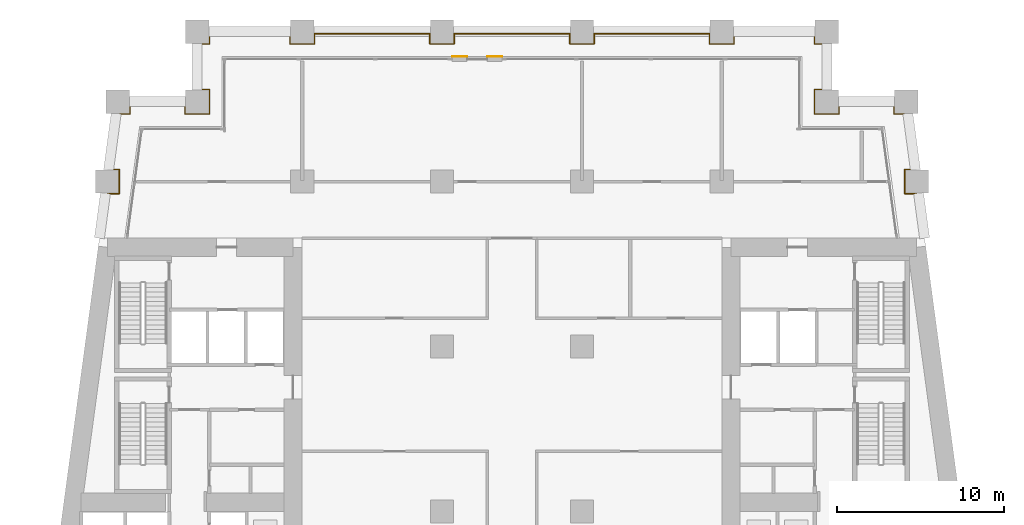
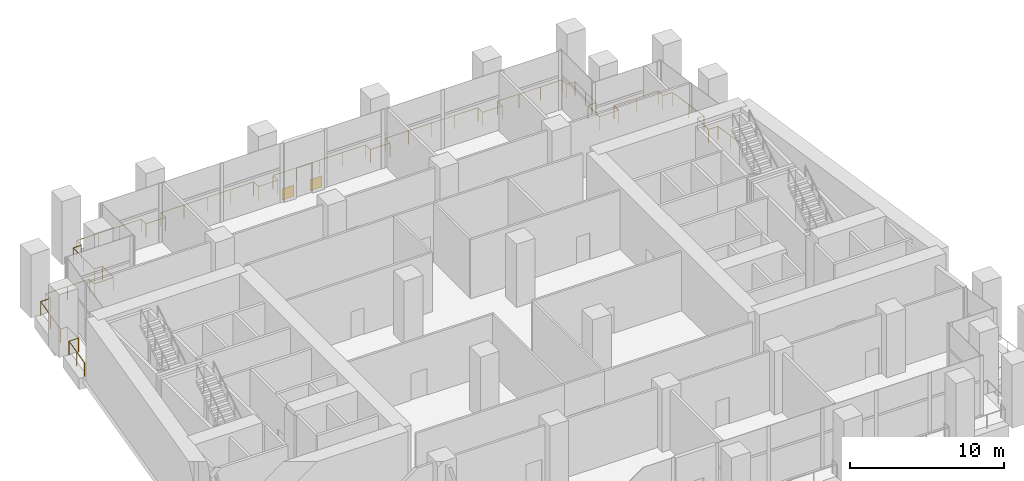
# One storey, part 14 of 15: 2 coverings, 1 railing.
"""IFC4 building model written with IfcOpenShell, lengths in metres."""

from ifc_helpers import new_model, si_unit, direction, frame, origin, origin_2d, place, context, subcontext, project, spatial, rectangle, circle, extrude, material, layer, layer_set, type_object, element, save


model = new_model("IFC4")

# Units and contexts
model_context = context("Model", 3, precision=1e-05, world=origin(), true_north=direction((0.0, 1.0)))
body_context = subcontext(model_context, "Body", "Model", "MODEL_VIEW")
ifc_project = project(units=[si_unit("LENGTHUNIT", "METRE"), si_unit("AREAUNIT", "SQUARE_METRE"), si_unit("VOLUMEUNIT", "CUBIC_METRE"), si_unit("PLANEANGLEUNIT", "RADIAN"), si_unit("MASSUNIT", "GRAM", prefix="KILO")], contexts=[model_context])

# Site, building, storey
site_placement = place(None, origin())
site = spatial("IfcSite", under=ifc_project, at=site_placement, CompositionType="ELEMENT")
building_placement = place(site_placement, origin())
building = spatial("IfcBuilding", under=site, at=building_placement, Name="Candeia Pilgrim Tower and Theatre", CompositionType="ELEMENT")
storey_placement = place(building_placement, frame((0.0, 0.0, 86.0)))
storey = spatial("IfcBuildingStorey", under=building, at=storey_placement, Name="L19", CompositionType="ELEMENT", Elevation=86.0)

# Railing
ifc_material_1 = material(Name="Stainless steel balustrade", Category="steel")
railing_type = type_object("IfcRailingType", Name="G1 loggia guard 1100", PredefinedType="GUARDRAIL", material=ifc_material_1)
railing_placement = place(storey_placement, frame((88.758544921875, 132.449951171875, 0.0)))
element("IfcRailing", 1, at=railing_placement, inside=storey, type_object=railing_type, Name="Guard L19.2", PredefinedType="GUARDRAIL", context=body_context, shape_type="SweptSolid", body=[
    extrude(circle(Radius=0.02392578125, at=origin_2d()), frame((0.0, 0.0, 1.076171875), z_axis=(0.133439920495, 0.991056904329, 0.0), x_axis=(-0.991056904329, 0.133439920495, 0.0)), (0.0, 0.0, 1.0), 2.643798828125),
    extrude(circle(Radius=0.02392578125, at=origin_2d()), frame((0.352783203125, 2.6201171875, 1.076171875), z_axis=(1.0, 0.0, 0.0), x_axis=(0.0, 1.0, 0.0)), (0.0, 0.0, 1.0), 0.70703125),
    extrude(circle(Radius=0.02392578125, at=origin_2d()), frame((1.059814453125, 2.6201171875, 1.076171875), z_axis=(0.0, 1.0, 0.0), x_axis=(-1.0, 0.0, 0.0)), (0.0, 0.0, 1.0), 1.4599609375),
    extrude(circle(Radius=0.02392578125, at=origin_2d()), frame((1.059814453125, 4.080078125, 1.076171875), z_axis=(-1.0, 0.0, 0.0), x_axis=(0.0, -1.0, 0.0)), (0.0, 0.0, 1.0), 0.510498046875),
    extrude(circle(Radius=0.02392578125, at=origin_2d()), frame((0.54931640625, 4.080078125, 1.076171875), z_axis=(0.133364121373, 0.991067107279, 0.0), x_axis=(-0.991067107279, 0.133364121373, 0.0)), (0.0, 0.0, 1.0), 3.3701171875),
    extrude(circle(Radius=0.02392578125, at=origin_2d()), frame((0.998779296875, 7.420166015625, 1.076171875), z_axis=(1.0, 0.0, 0.0), x_axis=(0.0, 1.0, 0.0)), (0.0, 0.0, 1.0), 0.707275390625),
    extrude(circle(Radius=0.02392578125, at=origin_2d()), frame((1.7060546875, 7.420166015625, 1.076171875), z_axis=(0.0, 1.0, 0.0), x_axis=(-1.0, 0.0, 0.0)), (0.0, 0.0, 1.0), 0.60986328125),
    extrude(circle(Radius=0.02392578125, at=origin_2d()), frame((1.7060546875, 8.030029296875, 1.076171875), z_axis=(1.0, 0.0, 0.0), x_axis=(0.0, 1.0, 0.0)), (0.0, 0.0, 1.0), 3.305419921875),
    extrude(circle(Radius=0.02392578125, at=origin_2d()), frame((5.011474609375, 8.030029296875, 1.076171875), z_axis=(0.0, -1.0, 0.0), x_axis=(1.0, 0.0, 0.0)), (0.0, 0.0, 1.0), 0.60986328125),
    extrude(circle(Radius=0.02392578125, at=origin_2d()), frame((5.011474609375, 7.420166015625, 1.076171875), z_axis=(1.0, 0.0, 0.0), x_axis=(0.0, 1.0, 0.0)), (0.0, 0.0, 1.0), 1.4599609375),
    extrude(circle(Radius=0.02392578125, at=origin_2d()), frame((6.471435546875, 7.420166015625, 1.076171875), z_axis=(0.0, 1.0, 0.0), x_axis=(-1.0, 0.0, 0.0)), (0.0, 0.0, 1.0), 1.4599609375),
    extrude(circle(Radius=0.02392578125, at=origin_2d()), frame((6.471435546875, 8.880126953125, 1.076171875), z_axis=(-1.0, 0.0, 0.0), x_axis=(0.0, -1.0, 0.0)), (0.0, 0.0, 1.0), 0.60986328125),
    extrude(circle(Radius=0.02392578125, at=origin_2d()), frame((5.861572265625, 8.880126953125, 1.076171875), z_axis=(0.0, 1.0, 0.0), x_axis=(-1.0, 0.0, 0.0)), (0.0, 0.0, 1.0), 2.739990234375),
    extrude(circle(Radius=0.02392578125, at=origin_2d()), frame((5.861572265625, 11.6201171875, 1.076171875), z_axis=(1.0, 0.0, 0.0), x_axis=(0.0, 1.0, 0.0)), (0.0, 0.0, 1.0), 0.60986328125),
    extrude(circle(Radius=0.02392578125, at=origin_2d()), frame((6.471435546875, 11.6201171875, 1.076171875), z_axis=(0.0, 1.0, 0.0), x_axis=(-1.0, 0.0, 0.0)), (0.0, 0.0, 1.0), 0.60986328125),
    extrude(circle(Radius=0.02392578125, at=origin_2d()), frame((6.471435546875, 12.22998046875, 1.076171875), z_axis=(1.0, 0.0, 0.0), x_axis=(0.0, 1.0, 0.0)), (0.0, 0.0, 1.0), 4.840087890625),
    extrude(circle(Radius=0.02392578125, at=origin_2d()), frame((11.3115234375, 12.22998046875, 1.076171875), z_axis=(0.0, -1.0, 0.0), x_axis=(1.0, 0.0, 0.0)), (0.0, 0.0, 1.0), 0.60986328125),
    extrude(circle(Radius=0.02392578125, at=origin_2d()), frame((11.3115234375, 11.6201171875, 1.076171875), z_axis=(1.0, 0.0, 0.0), x_axis=(0.0, 1.0, 0.0)), (0.0, 0.0, 1.0), 1.4599609375),
    extrude(circle(Radius=0.02392578125, at=origin_2d()), frame((12.771484375, 11.6201171875, 1.076171875), z_axis=(0.0, 1.0, 0.0), x_axis=(-1.0, 0.0, 0.0)), (0.0, 0.0, 1.0), 0.60986328125),
    extrude(circle(Radius=0.02392578125, at=origin_2d()), frame((12.771484375, 12.22998046875, 1.076171875), z_axis=(1.0, 0.0, 0.0), x_axis=(0.0, 1.0, 0.0)), (0.0, 0.0, 1.0), 6.93994140625),
    extrude(circle(Radius=0.02392578125, at=origin_2d()), frame((19.71142578125, 12.22998046875, 1.076171875), z_axis=(0.0, -1.0, 0.0), x_axis=(1.0, 0.0, 0.0)), (0.0, 0.0, 1.0), 0.60986328125),
    extrude(circle(Radius=0.02392578125, at=origin_2d()), frame((19.71142578125, 11.6201171875, 1.076171875), z_axis=(1.0, 0.0, 0.0), x_axis=(0.0, 1.0, 0.0)), (0.0, 0.0, 1.0), 1.4599609375),
    extrude(circle(Radius=0.02392578125, at=origin_2d()), frame((21.17138671875, 11.6201171875, 1.076171875), z_axis=(0.0, 1.0, 0.0), x_axis=(-1.0, 0.0, 0.0)), (0.0, 0.0, 1.0), 0.60986328125),
    extrude(circle(Radius=0.02392578125, at=origin_2d()), frame((21.17138671875, 12.22998046875, 1.076171875), z_axis=(1.0, 0.0, 0.0), x_axis=(0.0, 1.0, 0.0)), (0.0, 0.0, 1.0), 6.940185546875),
    extrude(circle(Radius=0.02392578125, at=origin_2d()), frame((28.111572265625, 12.22998046875, 1.076171875), z_axis=(0.0, -1.0, 0.0), x_axis=(1.0, 0.0, 0.0)), (0.0, 0.0, 1.0), 0.60986328125),
    extrude(circle(Radius=0.02392578125, at=origin_2d()), frame((28.111572265625, 11.6201171875, 1.076171875), z_axis=(1.0, 0.0, 0.0), x_axis=(0.0, 1.0, 0.0)), (0.0, 0.0, 1.0), 1.4599609375),
    extrude(circle(Radius=0.02392578125, at=origin_2d()), frame((29.571533203125, 11.6201171875, 1.076171875), z_axis=(0.0, 1.0, 0.0), x_axis=(-1.0, 0.0, 0.0)), (0.0, 0.0, 1.0), 0.60986328125),
    extrude(circle(Radius=0.02392578125, at=origin_2d()), frame((29.571533203125, 12.22998046875, 1.076171875), z_axis=(1.0, 0.0, 0.0), x_axis=(0.0, 1.0, 0.0)), (0.0, 0.0, 1.0), 6.93994140625),
    extrude(circle(Radius=0.02392578125, at=origin_2d()), frame((36.511474609375, 12.22998046875, 1.076171875), z_axis=(0.0, -1.0, 0.0), x_axis=(1.0, 0.0, 0.0)), (0.0, 0.0, 1.0), 0.60986328125),
    extrude(circle(Radius=0.02392578125, at=origin_2d()), frame((36.511474609375, 11.6201171875, 1.076171875), z_axis=(1.0, 0.0, 0.0), x_axis=(0.0, 1.0, 0.0)), (0.0, 0.0, 1.0), 1.4599609375),
    extrude(circle(Radius=0.02392578125, at=origin_2d()), frame((37.971435546875, 11.6201171875, 1.076171875), z_axis=(0.0, 1.0, 0.0), x_axis=(-1.0, 0.0, 0.0)), (0.0, 0.0, 1.0), 0.60986328125),
    extrude(circle(Radius=0.02392578125, at=origin_2d()), frame((37.971435546875, 12.22998046875, 1.076171875), z_axis=(1.0, 0.0, 0.0), x_axis=(0.0, 1.0, 0.0)), (0.0, 0.0, 1.0), 4.840087890625),
    extrude(circle(Radius=0.02392578125, at=origin_2d()), frame((42.8115234375, 12.22998046875, 1.076171875), z_axis=(0.0, -1.0, 0.0), x_axis=(1.0, 0.0, 0.0)), (0.0, 0.0, 1.0), 0.60986328125),
    extrude(circle(Radius=0.02392578125, at=origin_2d()), frame((42.8115234375, 11.6201171875, 1.076171875), z_axis=(1.0, 0.0, 0.0), x_axis=(0.0, 1.0, 0.0)), (0.0, 0.0, 1.0), 0.60986328125),
    extrude(circle(Radius=0.02392578125, at=origin_2d()), frame((43.42138671875, 11.6201171875, 1.076171875), z_axis=(0.0, -1.0, 0.0), x_axis=(1.0, 0.0, 0.0)), (0.0, 0.0, 1.0), 2.739990234375),
    extrude(circle(Radius=0.02392578125, at=origin_2d()), frame((43.42138671875, 8.880126953125, 1.076171875), z_axis=(-1.0, 0.0, 0.0), x_axis=(0.0, -1.0, 0.0)), (0.0, 0.0, 1.0), 0.60986328125),
    extrude(circle(Radius=0.02392578125, at=origin_2d()), frame((42.8115234375, 8.880126953125, 1.076171875), z_axis=(0.0, -1.0, 0.0), x_axis=(1.0, 0.0, 0.0)), (0.0, 0.0, 1.0), 1.4599609375),
    extrude(circle(Radius=0.02392578125, at=origin_2d()), frame((42.8115234375, 7.420166015625, 1.076171875), z_axis=(1.0, 0.0, 0.0), x_axis=(0.0, 1.0, 0.0)), (0.0, 0.0, 1.0), 1.4599609375),
    extrude(circle(Radius=0.02392578125, at=origin_2d()), frame((44.271484375, 7.420166015625, 1.076171875), z_axis=(0.0, 1.0, 0.0), x_axis=(-1.0, 0.0, 0.0)), (0.0, 0.0, 1.0), 0.60986328125),
    extrude(circle(Radius=0.02392578125, at=origin_2d()), frame((44.271484375, 8.030029296875, 1.076171875), z_axis=(1.0, 0.0, 0.0), x_axis=(0.0, 1.0, 0.0)), (0.0, 0.0, 1.0), 3.305419921875),
    extrude(circle(Radius=0.02392578125, at=origin_2d()), frame((47.576904296875, 8.030029296875, 1.076171875), z_axis=(0.0, -1.0, 0.0), x_axis=(1.0, 0.0, 0.0)), (0.0, 0.0, 1.0), 0.60986328125),
    extrude(circle(Radius=0.02392578125, at=origin_2d()), frame((47.576904296875, 7.420166015625, 1.076171875), z_axis=(1.0, 0.0, 0.0), x_axis=(0.0, 1.0, 0.0)), (0.0, 0.0, 1.0), 0.70703125),
    extrude(circle(Radius=0.02392578125, at=origin_2d()), frame((48.283935546875, 7.420166015625, 1.076171875), z_axis=(0.133435273035, -0.991057530071, 0.0), x_axis=(0.991057530071, 0.133435273035, 0.0)), (0.0, 0.0, 1.0), 3.3701171875),
    extrude(circle(Radius=0.02392578125, at=origin_2d()), frame((48.733642578125, 4.080078125, 1.076171875), z_axis=(-1.0, 0.0, 0.0), x_axis=(0.0, -1.0, 0.0)), (0.0, 0.0, 1.0), 0.5107421875),
    extrude(circle(Radius=0.02392578125, at=origin_2d()), frame((48.222900390625, 4.080078125, 1.076171875), z_axis=(0.0, -1.0, 0.0), x_axis=(1.0, 0.0, 0.0)), (0.0, 0.0, 1.0), 1.4599609375),
    extrude(circle(Radius=0.02392578125, at=origin_2d()), frame((48.222900390625, 2.6201171875, 1.076171875), z_axis=(1.0, 0.0, 0.0), x_axis=(0.0, 1.0, 0.0)), (0.0, 0.0, 1.0), 0.707275390625),
    extrude(circle(Radius=0.02392578125, at=origin_2d()), frame((48.93017578125, 2.6201171875, 1.076171875), z_axis=(0.133439920495, -0.991056904329, 0.0), x_axis=(0.991056904329, 0.133439920495, 0.0)), (0.0, 0.0, 1.0), 2.643798828125),
    extrude(circle(Radius=0.02099609375, at=origin_2d()), origin(), (0.0, 0.0, 1.0), 1.052001953125),
    extrude(circle(Radius=0.02099609375, at=origin_2d()), frame((0.17626953125, 1.31005859375, 0.0)), (0.0, 0.0, 1.0), 1.052001953125),
    extrude(circle(Radius=0.02099609375, at=origin_2d()), frame((0.352783203125, 2.6201171875, 0.0)), (0.0, 0.0, 1.0), 1.052001953125),
    extrude(circle(Radius=0.02099609375, at=origin_2d()), frame((1.059814453125, 2.6201171875, 0.0)), (0.0, 0.0, 1.0), 1.052001953125),
    extrude(circle(Radius=0.02099609375, at=origin_2d()), frame((1.059814453125, 4.080078125, 0.0)), (0.0, 0.0, 1.0), 1.052001953125),
    extrude(circle(Radius=0.02099609375, at=origin_2d()), frame((0.54931640625, 4.080078125, 0.0)), (0.0, 0.0, 1.0), 1.052001953125),
    extrude(circle(Radius=0.02099609375, at=origin_2d()), frame((0.77392578125, 5.75, 0.0)), (0.0, 0.0, 1.0), 1.052001953125),
    extrude(circle(Radius=0.02099609375, at=origin_2d()), frame((0.998779296875, 7.420166015625, 0.0)), (0.0, 0.0, 1.0), 1.052001953125),
    extrude(circle(Radius=0.02099609375, at=origin_2d()), frame((1.7060546875, 7.420166015625, 0.0)), (0.0, 0.0, 1.0), 1.052001953125),
    extrude(circle(Radius=0.02099609375, at=origin_2d()), frame((1.7060546875, 8.030029296875, 0.0)), (0.0, 0.0, 1.0), 1.052001953125),
    extrude(circle(Radius=0.02099609375, at=origin_2d()), frame((3.35888671875, 8.030029296875, 0.0)), (0.0, 0.0, 1.0), 1.052001953125),
    extrude(circle(Radius=0.02099609375, at=origin_2d()), frame((5.011474609375, 8.030029296875, 0.0)), (0.0, 0.0, 1.0), 1.052001953125),
    extrude(circle(Radius=0.02099609375, at=origin_2d()), frame((5.011474609375, 7.420166015625, 0.0)), (0.0, 0.0, 1.0), 1.052001953125),
    extrude(circle(Radius=0.02099609375, at=origin_2d()), frame((6.471435546875, 7.420166015625, 0.0)), (0.0, 0.0, 1.0), 1.052001953125),
    extrude(circle(Radius=0.02099609375, at=origin_2d()), frame((6.471435546875, 8.880126953125, 0.0)), (0.0, 0.0, 1.0), 1.052001953125),
    extrude(circle(Radius=0.02099609375, at=origin_2d()), frame((5.861572265625, 8.880126953125, 0.0)), (0.0, 0.0, 1.0), 1.052001953125),
    extrude(circle(Radius=0.02099609375, at=origin_2d()), frame((5.861572265625, 10.25, 0.0)), (0.0, 0.0, 1.0), 1.052001953125),
    extrude(circle(Radius=0.02099609375, at=origin_2d()), frame((5.861572265625, 11.6201171875, 0.0)), (0.0, 0.0, 1.0), 1.052001953125),
    extrude(circle(Radius=0.02099609375, at=origin_2d()), frame((6.471435546875, 11.6201171875, 0.0)), (0.0, 0.0, 1.0), 1.052001953125),
    extrude(circle(Radius=0.02099609375, at=origin_2d()), frame((6.471435546875, 12.22998046875, 0.0)), (0.0, 0.0, 1.0), 1.052001953125),
    extrude(circle(Radius=0.02099609375, at=origin_2d()), frame((8.084716796875, 12.22998046875, 0.0)), (0.0, 0.0, 1.0), 1.052001953125),
    extrude(circle(Radius=0.02099609375, at=origin_2d()), frame((9.6982421875, 12.22998046875, 0.0)), (0.0, 0.0, 1.0), 1.052001953125),
    extrude(circle(Radius=0.02099609375, at=origin_2d()), frame((11.3115234375, 12.22998046875, 0.0)), (0.0, 0.0, 1.0), 1.052001953125),
    extrude(circle(Radius=0.02099609375, at=origin_2d()), frame((11.3115234375, 11.6201171875, 0.0)), (0.0, 0.0, 1.0), 1.052001953125),
    extrude(circle(Radius=0.02099609375, at=origin_2d()), frame((12.771484375, 11.6201171875, 0.0)), (0.0, 0.0, 1.0), 1.052001953125),
    extrude(circle(Radius=0.02099609375, at=origin_2d()), frame((12.771484375, 12.22998046875, 0.0)), (0.0, 0.0, 1.0), 1.052001953125),
    extrude(circle(Radius=0.02099609375, at=origin_2d()), frame((14.50634765625, 12.22998046875, 0.0)), (0.0, 0.0, 1.0), 1.052001953125),
    extrude(circle(Radius=0.02099609375, at=origin_2d()), frame((16.241455078125, 12.22998046875, 0.0)), (0.0, 0.0, 1.0), 1.052001953125),
    extrude(circle(Radius=0.02099609375, at=origin_2d()), frame((17.9765625, 12.22998046875, 0.0)), (0.0, 0.0, 1.0), 1.052001953125),
    extrude(circle(Radius=0.02099609375, at=origin_2d()), frame((19.71142578125, 12.22998046875, 0.0)), (0.0, 0.0, 1.0), 1.052001953125),
    extrude(circle(Radius=0.02099609375, at=origin_2d()), frame((19.71142578125, 11.6201171875, 0.0)), (0.0, 0.0, 1.0), 1.052001953125),
    extrude(circle(Radius=0.02099609375, at=origin_2d()), frame((21.17138671875, 11.6201171875, 0.0)), (0.0, 0.0, 1.0), 1.052001953125),
    extrude(circle(Radius=0.02099609375, at=origin_2d()), frame((21.17138671875, 12.22998046875, 0.0)), (0.0, 0.0, 1.0), 1.052001953125),
    extrude(circle(Radius=0.02099609375, at=origin_2d()), frame((22.906494140625, 12.22998046875, 0.0)), (0.0, 0.0, 1.0), 1.052001953125),
    extrude(circle(Radius=0.02099609375, at=origin_2d()), frame((24.6416015625, 12.22998046875, 0.0)), (0.0, 0.0, 1.0), 1.052001953125),
    extrude(circle(Radius=0.02099609375, at=origin_2d()), frame((26.37646484375, 12.22998046875, 0.0)), (0.0, 0.0, 1.0), 1.052001953125),
    extrude(circle(Radius=0.02099609375, at=origin_2d()), frame((28.111572265625, 12.22998046875, 0.0)), (0.0, 0.0, 1.0), 1.052001953125),
    extrude(circle(Radius=0.02099609375, at=origin_2d()), frame((28.111572265625, 11.6201171875, 0.0)), (0.0, 0.0, 1.0), 1.052001953125),
    extrude(circle(Radius=0.02099609375, at=origin_2d()), frame((29.571533203125, 11.6201171875, 0.0)), (0.0, 0.0, 1.0), 1.052001953125),
    extrude(circle(Radius=0.02099609375, at=origin_2d()), frame((29.571533203125, 12.22998046875, 0.0)), (0.0, 0.0, 1.0), 1.052001953125),
    extrude(circle(Radius=0.02099609375, at=origin_2d()), frame((31.306640625, 12.22998046875, 0.0)), (0.0, 0.0, 1.0), 1.052001953125),
    extrude(circle(Radius=0.02099609375, at=origin_2d()), frame((33.04150390625, 12.22998046875, 0.0)), (0.0, 0.0, 1.0), 1.052001953125),
    extrude(circle(Radius=0.02099609375, at=origin_2d()), frame((34.7763671875, 12.22998046875, 0.0)), (0.0, 0.0, 1.0), 1.052001953125),
    extrude(circle(Radius=0.02099609375, at=origin_2d()), frame((36.511474609375, 12.22998046875, 0.0)), (0.0, 0.0, 1.0), 1.052001953125),
    extrude(circle(Radius=0.02099609375, at=origin_2d()), frame((36.511474609375, 11.6201171875, 0.0)), (0.0, 0.0, 1.0), 1.052001953125),
    extrude(circle(Radius=0.02099609375, at=origin_2d()), frame((37.971435546875, 11.6201171875, 0.0)), (0.0, 0.0, 1.0), 1.052001953125),
    extrude(circle(Radius=0.02099609375, at=origin_2d()), frame((37.971435546875, 12.22998046875, 0.0)), (0.0, 0.0, 1.0), 1.052001953125),
    extrude(circle(Radius=0.02099609375, at=origin_2d()), frame((39.584716796875, 12.22998046875, 0.0)), (0.0, 0.0, 1.0), 1.052001953125),
    extrude(circle(Radius=0.02099609375, at=origin_2d()), frame((41.1982421875, 12.22998046875, 0.0)), (0.0, 0.0, 1.0), 1.052001953125),
    extrude(circle(Radius=0.02099609375, at=origin_2d()), frame((42.8115234375, 12.22998046875, 0.0)), (0.0, 0.0, 1.0), 1.052001953125),
    extrude(circle(Radius=0.02099609375, at=origin_2d()), frame((42.8115234375, 11.6201171875, 0.0)), (0.0, 0.0, 1.0), 1.052001953125),
    extrude(circle(Radius=0.02099609375, at=origin_2d()), frame((43.42138671875, 11.6201171875, 0.0)), (0.0, 0.0, 1.0), 1.052001953125),
    extrude(circle(Radius=0.02099609375, at=origin_2d()), frame((43.42138671875, 10.25, 0.0)), (0.0, 0.0, 1.0), 1.052001953125),
    extrude(circle(Radius=0.02099609375, at=origin_2d()), frame((43.42138671875, 8.880126953125, 0.0)), (0.0, 0.0, 1.0), 1.052001953125),
    extrude(circle(Radius=0.02099609375, at=origin_2d()), frame((42.8115234375, 8.880126953125, 0.0)), (0.0, 0.0, 1.0), 1.052001953125),
    extrude(circle(Radius=0.02099609375, at=origin_2d()), frame((42.8115234375, 7.420166015625, 0.0)), (0.0, 0.0, 1.0), 1.052001953125),
    extrude(circle(Radius=0.02099609375, at=origin_2d()), frame((44.271484375, 7.420166015625, 0.0)), (0.0, 0.0, 1.0), 1.052001953125),
    extrude(circle(Radius=0.02099609375, at=origin_2d()), frame((44.271484375, 8.030029296875, 0.0)), (0.0, 0.0, 1.0), 1.052001953125),
    extrude(circle(Radius=0.02099609375, at=origin_2d()), frame((45.92431640625, 8.030029296875, 0.0)), (0.0, 0.0, 1.0), 1.052001953125),
    extrude(circle(Radius=0.02099609375, at=origin_2d()), frame((47.576904296875, 8.030029296875, 0.0)), (0.0, 0.0, 1.0), 1.052001953125),
    extrude(circle(Radius=0.02099609375, at=origin_2d()), frame((47.576904296875, 7.420166015625, 0.0)), (0.0, 0.0, 1.0), 1.052001953125),
    extrude(circle(Radius=0.02099609375, at=origin_2d()), frame((48.283935546875, 7.420166015625, 0.0)), (0.0, 0.0, 1.0), 1.052001953125),
    extrude(circle(Radius=0.02099609375, at=origin_2d()), frame((48.5087890625, 5.75, 0.0)), (0.0, 0.0, 1.0), 1.052001953125),
    extrude(circle(Radius=0.02099609375, at=origin_2d()), frame((48.733642578125, 4.080078125, 0.0)), (0.0, 0.0, 1.0), 1.052001953125),
    extrude(circle(Radius=0.02099609375, at=origin_2d()), frame((48.222900390625, 4.080078125, 0.0)), (0.0, 0.0, 1.0), 1.052001953125),
    extrude(circle(Radius=0.02099609375, at=origin_2d()), frame((48.222900390625, 2.6201171875, 0.0)), (0.0, 0.0, 1.0), 1.052001953125),
    extrude(circle(Radius=0.02099609375, at=origin_2d()), frame((48.93017578125, 2.6201171875, 0.0)), (0.0, 0.0, 1.0), 1.052001953125),
    extrude(circle(Radius=0.02099609375, at=origin_2d()), frame((49.1064453125, 1.31005859375, 0.0)), (0.0, 0.0, 1.0), 1.052001953125),
    extrude(circle(Radius=0.02099609375, at=origin_2d()), frame((49.282958984375, 0.0, 0.0)), (0.0, 0.0, 1.0), 1.052001953125),
])

# Coverings
ifc_material_2 = material(Name="Glazed ceramic tile rust")
ifc_layer = layer(ifc_material_2, 0.02001953125)
ifc_layer_set = layer_set([ifc_layer], Name="Glazed ceramic tile rust")
covering_type = type_object("IfcCoveringType", Name="Glazed ceramic tile rust", PredefinedType="CLADDING", material=ifc_layer_set)
for number, where, z_axis, x_axis, name in (
    (2, (112.35009765625, 143.31005859375, 0.0), (0.0, 0.0, 1.0), (-1.0, 0.0, 0.0), "Tile cladding rust L19"),
    (3, (110.25, 143.31005859375, 0.0), (0.0, 0.0, 1.0), (-1.0, 0.0, 0.0), "Tile cladding rust L19"),
):
    element("IfcCovering", number, at=place(storey_placement, frame(where, z_axis=z_axis, x_axis=x_axis)), inside=storey, type_object=covering_type, Name=name, PredefinedType="CLADDING", context=body_context, shape_type="SweptSolid", body=[
        extrude(rectangle(XDim=0.89990234375, YDim=0.02001953125, at=origin_2d()), origin(), (0.0, 0.0, 1.0), 0.89990234375),
    ])

save(model, "model.ifc")
